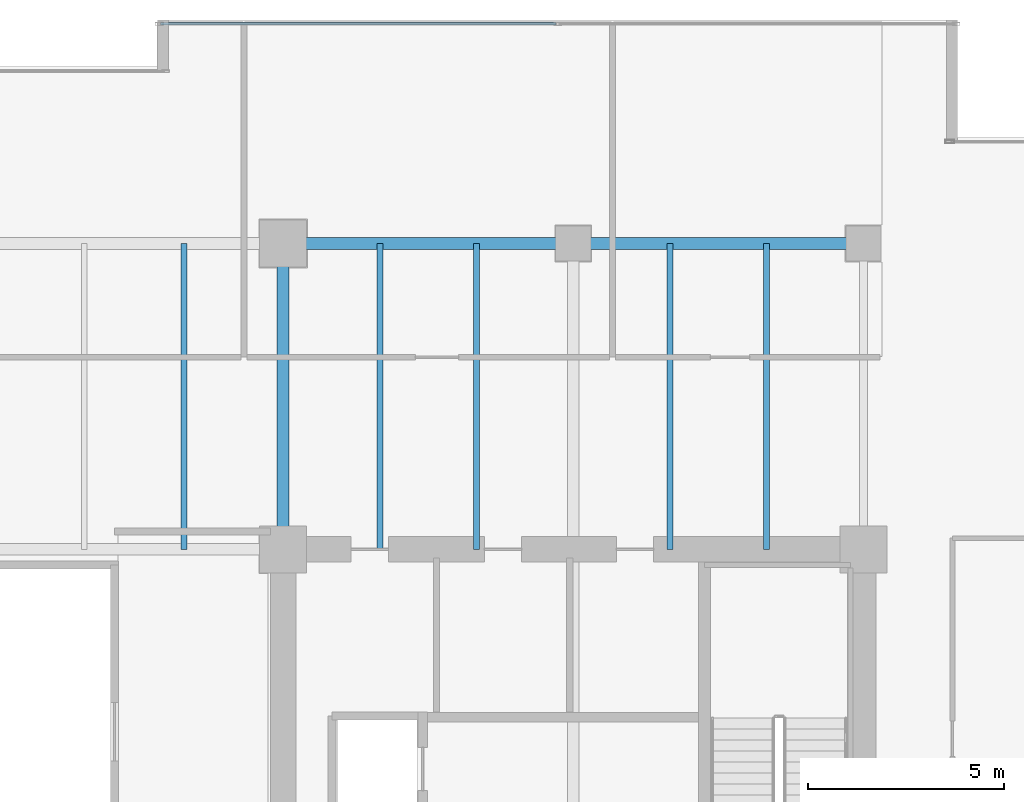
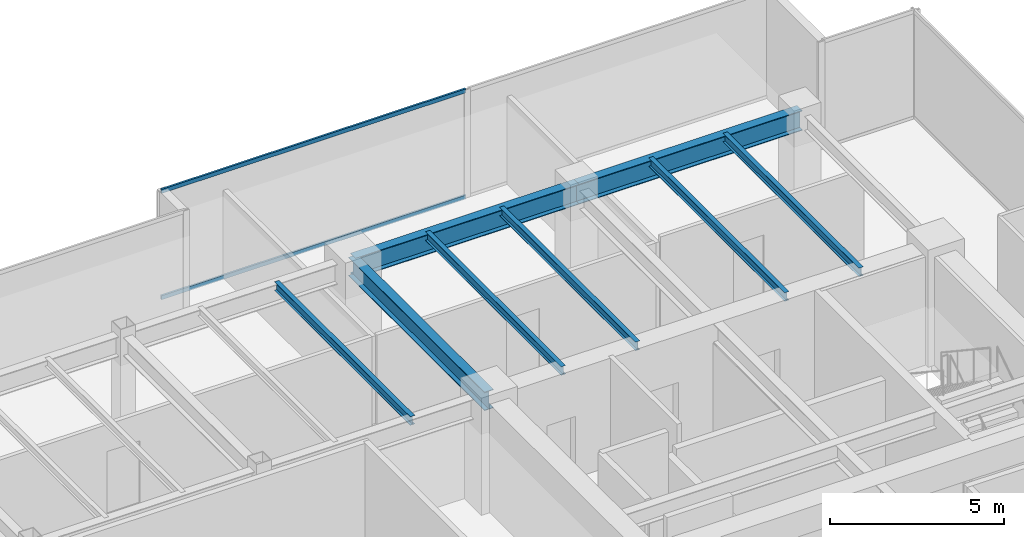
# One storey, part 19 of 33: 8 beams, 2 members, 1 element without a shape of its own.
"""IFC4 building model written with IfcOpenShell, lengths in metres."""

from ifc_helpers import new_model, si_unit, direction, frame, origin, origin_2d, place, context, subcontext, project, spatial, hollow_rectangle, i_section, extrude, source, transform, mapped, material, layer, layer_set, material_profile, profile_set, type_object, type_shapes, element, aggregate, save


model = new_model("IFC4")

# Units and contexts
model_context = context("Model", 3, precision=1e-05, world=origin(), true_north=direction((0.0, 1.0)))
body_context = subcontext(model_context, "Body", "Model", "MODEL_VIEW")
ifc_project = project(units=[si_unit("LENGTHUNIT", "METRE"), si_unit("AREAUNIT", "SQUARE_METRE"), si_unit("VOLUMEUNIT", "CUBIC_METRE"), si_unit("PLANEANGLEUNIT", "RADIAN"), si_unit("MASSUNIT", "GRAM", prefix="KILO")], contexts=[model_context])

# Site, building, storey
site_placement = place(None, origin())
site = spatial("IfcSite", under=ifc_project, at=site_placement, CompositionType="ELEMENT")
building_placement = place(site_placement, origin())
building = spatial("IfcBuilding", under=site, at=building_placement, Name="Haelvirn Gate Laboratories", CompositionType="ELEMENT")
storey_placement = place(building_placement, frame((0.0, 0.0, 133.800048828125)))
storey = spatial("IfcBuildingStorey", under=building, at=storey_placement, Name="L32", CompositionType="ELEMENT", Elevation=133.800048828125)

# Beams
ifc_material_1 = material(Name="Steel SM355", Category="steel")
ifc_material_profile_1 = material_profile(ifc_material_1, i_section(OverallWidth=0.300048828125, OverallDepth=0.64990234375, WebThickness=0.012939453125, FlangeThickness=0.02197265625, at=origin_2d()), Name="H-650x300x13x22")
ifc_profile_set_1 = profile_set([ifc_material_profile_1], Name="Steel SM355")
beam_type_1 = type_object("IfcBeamType", Name="BM-G-650", PredefinedType="BEAM", material=ifc_profile_set_1)
shared_shape_1 = source(origin(), body_context, "Body", "SweptSolid", [
    extrude(i_section(OverallWidth=0.300048828125, OverallDepth=0.64990234375, WebThickness=0.012939453125, FlangeThickness=0.02197265625, at=origin_2d()), origin(), (0.0, 0.0, 1.0), 7.800048828125),
])
type_shapes(beam_type_1, [shared_shape_1])
beam_placement = place(storey_placement, frame((52.60009765625, 33.800048828125, 3.46484375), z_axis=(0.0, 1.0, 0.0), x_axis=(-1.0, 0.0, 0.0)))
element("IfcBeam", 1, at=beam_placement, inside=storey, type_object=beam_type_1, Name="L32 Frame Girder X52.6 (33.8-41.6)", PredefinedType="BEAM", context=body_context, shape_type="MappedRepresentation", body=[
    mapped(shared_shape_1, transform((0.0, 0.0, 0.0), scale=1.0)),
])
ifc_material_profile_2 = material_profile(ifc_material_1, i_section(OverallWidth=0.300048828125, OverallDepth=0.699951171875, WebThickness=0.012939453125, FlangeThickness=0.02392578125, at=origin_2d()), Name="H-700x300x13x24")
ifc_profile_set_2 = profile_set([ifc_material_profile_2], Name="Steel SM355")
beam_type_2 = type_object("IfcBeamType", Name="BM-G-700", PredefinedType="BEAM", material=ifc_profile_set_2)
shared_shape_2 = source(origin(), body_context, "Body", "SweptSolid", [
    extrude(i_section(OverallWidth=0.300048828125, OverallDepth=0.699951171875, WebThickness=0.012939453125, FlangeThickness=0.02392578125, at=origin_2d()), origin(), (0.0, 0.0, 1.0), 7.39990234375),
])
type_shapes(beam_type_2, [shared_shape_2])
for number, where, z_axis, x_axis, name in (
    (2, (52.60009765625, 41.60009765625, 3.43994140625), (1.0, 0.0, 0.0), (0.0, 1.0, 0.0), "L32 Primary Girder Y41.6 (52.6-60.0)"),
    (3, (60.0, 41.60009765625, 3.43994140625), (1.0, 0.0, 0.0), (0.0, 1.0, 0.0), "L32 Primary Girder Y41.6 (60.0-67.4)"),
):
    element("IfcBeam", number, at=place(storey_placement, frame(where, z_axis=z_axis, x_axis=x_axis)), inside=storey, type_object=beam_type_2, Name=name, PredefinedType="BEAM", context=body_context, shape_type="MappedRepresentation", body=[
        mapped(shared_shape_2, transform((0.0, 0.0, 0.0), scale=1.0)),
    ])
ifc_material_profile_3 = material_profile(ifc_material_1, i_section(OverallWidth=0.14990234375, OverallDepth=0.300048828125, WebThickness=0.006591796875, FlangeThickness=0.009033203125, at=origin_2d()), Name="H-300x150x6.5x9")
ifc_profile_set_3 = profile_set([ifc_material_profile_3], Name="Steel SM355")
beam_type_3 = type_object("IfcBeamType", Name="BM-J-300", PredefinedType="JOIST", material=ifc_profile_set_3)
shared_shape_3 = source(origin(), body_context, "Body", "SweptSolid", [
    extrude(i_section(OverallWidth=0.14990234375, OverallDepth=0.300048828125, WebThickness=0.006591796875, FlangeThickness=0.009033203125, at=origin_2d()), origin(), (0.0, 0.0, 1.0), 7.800048828125),
])
type_shapes(beam_type_3, [shared_shape_3])
for number, where, z_axis, x_axis, name in (
    (4, (50.070068359375, 33.800048828125, 3.639892578125), (0.0, 1.0, 0.0), (-1.0, 0.0, 0.0), "L32 Composite Lab Joist North X50.07"),
    (5, (55.070068359375, 33.800048828125, 3.639892578125), (0.0, 1.0, 0.0), (-1.0, 0.0, 0.0), "L32 Composite Lab Joist North X55.07"),
    (6, (57.530029296875, 33.800048828125, 3.639892578125), (0.0, 1.0, 0.0), (-1.0, 0.0, 0.0), "L32 Composite Lab Joist North X57.53"),
    (7, (62.469970703125, 33.800048828125, 3.639892578125), (0.0, 1.0, 0.0), (-1.0, 0.0, 0.0), "L32 Composite Lab Joist North X62.47"),
    (8, (64.929931640625, 33.800048828125, 3.639892578125), (0.0, 1.0, 0.0), (-1.0, 0.0, 0.0), "L32 Composite Lab Joist North X64.93"),
):
    element("IfcBeam", number, at=place(storey_placement, frame(where, z_axis=z_axis, x_axis=x_axis)), inside=storey, type_object=beam_type_3, Name=name, PredefinedType="JOIST", context=body_context, shape_type="MappedRepresentation", body=[
        mapped(shared_shape_3, transform((0.0, 0.0, 0.0), scale=1.0)),
    ])

# Curtain wall, members
ifc_material_2 = material(Name="Anodised bronze unitised aluminium & triple low-E glass", Category="aluminium")
ifc_layer = layer(ifc_material_2, 0.179931640625, Name="CW-SYS-3")
ifc_layer_set = layer_set([ifc_layer], Name="Anodised bronze unitised aluminium & triple low-E glass")
curtain_wall_type = type_object("IfcCurtainWallType", Name="CW-SYS-3", PredefinedType="NOTDEFINED", material=ifc_layer_set)
curtain_wall_placement = place(storey_placement, origin())
curtain_wall = element("IfcCurtainWall", 9, at=curtain_wall_placement, inside=storey, type_object=curtain_wall_type, Name="L32 Unitised Curtain Wall CW-L32-P0-E10-1", PredefinedType="NOTDEFINED")
ifc_material_3 = material(Name="Extruded aluminium 6063-T6 (anodised bronze)", Category="aluminium")
ifc_material_profile_4 = material_profile(ifc_material_3, hollow_rectangle(XDim=0.06494140625, YDim=0.139892578125, WallThickness=0.00390625, at=origin_2d()), Name="CWT-140x65x4")
ifc_profile_set_4 = profile_set([ifc_material_profile_4], Name="Extruded aluminium 6063-T6 (anodised bronze)")
member_type = type_object("IfcMemberType", Name="CWT-T140", PredefinedType="USERDEFINED", material=ifc_profile_set_4)
shared_shape_4 = source(origin(), body_context, "Body", "SweptSolid", [
    extrude(hollow_rectangle(XDim=0.06494140625, YDim=0.139892578125, WallThickness=0.00390625, at=origin_2d()), origin(), (0.0, 0.0, 1.0), 10.08740234375),
])
type_shapes(member_type, [shared_shape_4])
member_1_placement = place(storey_placement, frame((49.47509765625, 47.199951171875, 0.032470703125), z_axis=(1.0, 0.0, 0.0), x_axis=(0.0, 1.0, 0.0)))
member_1 = element("IfcMember", 10, at=member_1_placement, type_object=member_type, Name="CW3 transom 1.1", ObjectType="TRANSOM", PredefinedType="USERDEFINED", context=body_context, shape_type="MappedRepresentation", body=[
    mapped(shared_shape_4, transform((0.0, 0.0, 0.0), scale=1.0)),
])
member_2_placement = place(storey_placement, frame((49.47509765625, 47.199951171875, 3.757568359375), z_axis=(1.0, 0.0, 0.0), x_axis=(0.0, 1.0, 0.0)))
member_2 = element("IfcMember", 11, at=member_2_placement, type_object=member_type, Name="CW3 transom 1.2", ObjectType="TRANSOM", PredefinedType="USERDEFINED", context=body_context, shape_type="MappedRepresentation", body=[
    mapped(shared_shape_4, transform((0.0, 0.0, 0.0), scale=1.0)),
])
aggregate(curtain_wall, [member_1, member_2])

save(model, "model.ifc")
